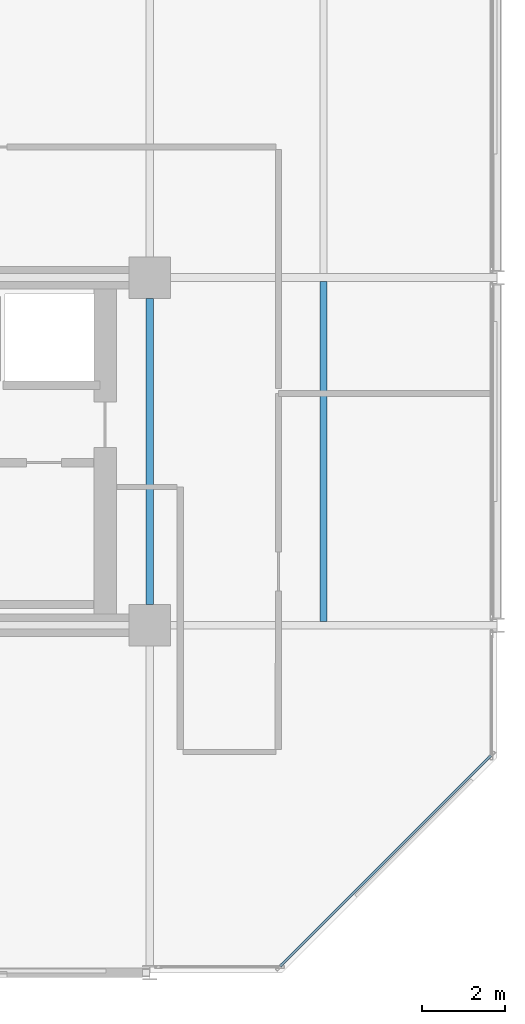
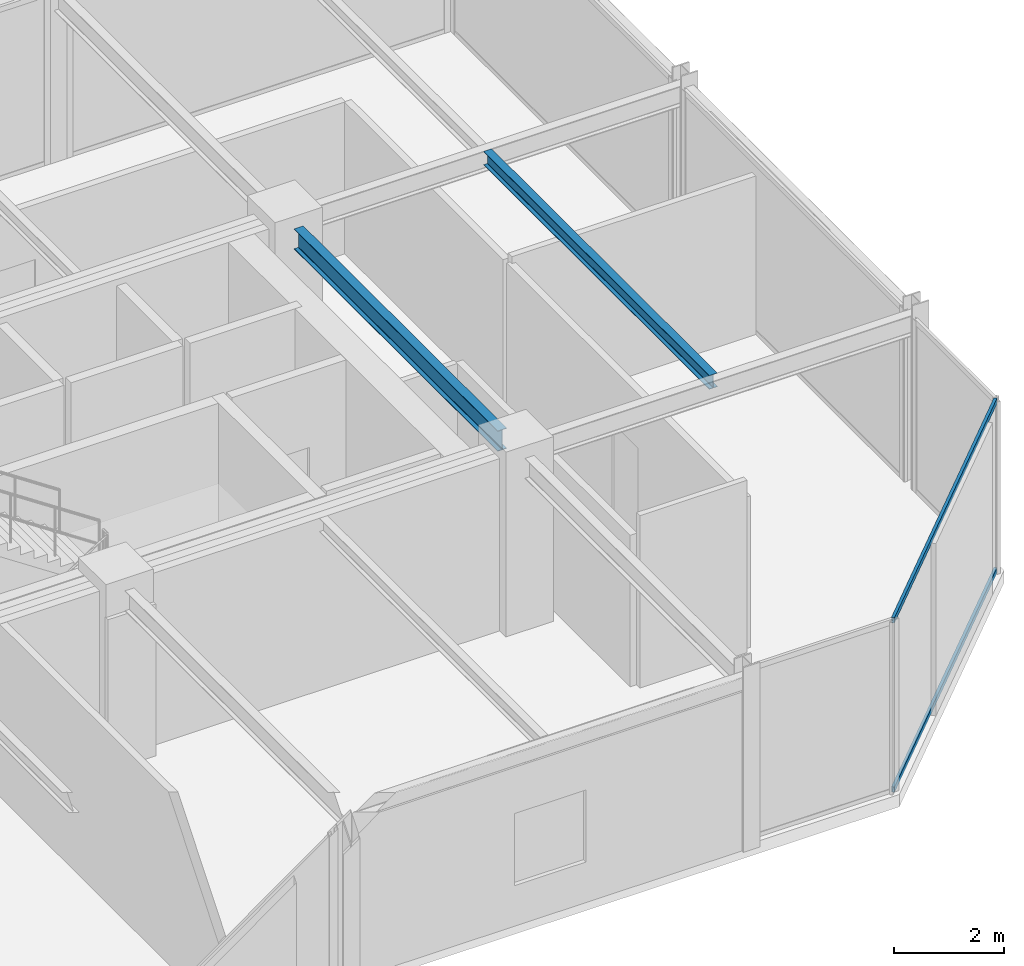
# One storey, part 12 of 29: 2 beams, 2 members, 1 element without a shape of its own.
"""IFC4 building model written with IfcOpenShell, lengths in metres."""

from ifc_helpers import new_model, si_unit, direction, frame, origin, origin_2d, place, context, subcontext, project, spatial, hollow_rectangle, i_section, extrude, material, layer, layer_set, material_profile, profile_set, type_object, element, aggregate, save


model = new_model("IFC4")

# Units and contexts
model_context = context("Model", 3, precision=1e-05, world=origin(), true_north=direction((0.0, 1.0)))
body_context = subcontext(model_context, "Body", "Model", "MODEL_VIEW")
ifc_project = project(units=[si_unit("LENGTHUNIT", "METRE"), si_unit("AREAUNIT", "SQUARE_METRE"), si_unit("VOLUMEUNIT", "CUBIC_METRE"), si_unit("PLANEANGLEUNIT", "RADIAN"), si_unit("MASSUNIT", "GRAM", prefix="KILO")], contexts=[model_context])

# Site, building, storey
site_placement = place(None, origin())
site = spatial("IfcSite", under=ifc_project, at=site_placement, CompositionType="ELEMENT")
building_placement = place(site_placement, origin())
building = spatial("IfcBuilding", under=site, at=building_placement, Name="Nerrivon Quay Data Exchange", CompositionType="ELEMENT")
storey_placement = place(building_placement, frame((0.0, 0.0, 208.300048828125)))
storey = spatial("IfcBuildingStorey", under=building, at=storey_placement, Name="L49", CompositionType="ELEMENT", Elevation=208.300048828125)

# Beams
ifc_material_1 = material(Name="Steel Grade 350", Category="steel")
ifc_material_profile_1 = material_profile(ifc_material_1, i_section(OverallWidth=0.18994140625, OverallDepth=0.4541015625, WebThickness=0.008544921875, FlangeThickness=0.0126953125, FilletRadius=0.011474609375, at=origin_2d()), Name="460UB67.1")
ifc_profile_set_1 = profile_set([ifc_material_profile_1], Name="Steel Grade 350")
beam_type_1 = type_object("IfcBeamType", Name="BM-G6-460UB67", PredefinedType="BEAM", material=ifc_profile_set_1)
beam_1_placement = place(storey_placement, frame((33.60009765625, 8.89990234375, 3.597900390625), z_axis=(0.0, 1.0, 0.0), x_axis=(-1.0, 0.0, 0.0)))
element("IfcBeam", 1, at=beam_1_placement, inside=storey, type_object=beam_type_1, Name="L49 NS Girder X=33.6 (8.4..16.8)", PredefinedType="BEAM", context=body_context, shape_type="SweptSolid", body=[
    extrude(i_section(OverallWidth=0.18994140625, OverallDepth=0.4541015625, WebThickness=0.008544921875, FlangeThickness=0.0126953125, FilletRadius=0.011474609375, at=origin_2d()), origin(), (0.0, 0.0, 1.0), 7.400146484375),
])
ifc_material_profile_2 = material_profile(ifc_material_1, i_section(OverallWidth=0.166015625, OverallDepth=0.306884765625, WebThickness=0.006591796875, FlangeThickness=0.01171875, FilletRadius=0.011474609375, at=origin_2d()), Name="310UB46.2")
ifc_profile_set_2 = profile_set([ifc_material_profile_2], Name="Steel Grade 350")
beam_type_2 = type_object("IfcBeamType", Name="BM-J5-310UB46", PredefinedType="JOIST", material=ifc_profile_set_2)
beam_2_placement = place(storey_placement, frame((37.800048828125, 8.49560546875, 3.67138671875), z_axis=(0.0, 1.0, 0.0), x_axis=(-1.0, 0.0, 0.0)))
element("IfcBeam", 2, at=beam_2_placement, inside=storey, type_object=beam_type_2, Name="L49 Secondary Joist X=37.8 (8.4..16.8)", PredefinedType="JOIST", context=body_context, shape_type="SweptSolid", body=[
    extrude(i_section(OverallWidth=0.166015625, OverallDepth=0.306884765625, WebThickness=0.006591796875, FlangeThickness=0.01171875, FilletRadius=0.011474609375, at=origin_2d()), origin(), (0.0, 0.0, 1.0), 8.208984375),
])

# Curtain wall, members
ifc_material_2 = material(Name="Anodised aluminium 6063-T6", Category="aluminium")
ifc_layer = layer(ifc_material_2, 0.195068359375)
ifc_layer_set = layer_set([ifc_layer], Name="Anodised aluminium 6063-T6")
curtain_wall_type = type_object("IfcCurtainWallType", Name="CW-SYS-06", PredefinedType="NOTDEFINED", material=ifc_layer_set)
curtain_wall_placement = place(storey_placement, origin())
curtain_wall = element("IfcCurtainWall", 3, at=curtain_wall_placement, inside=storey, type_object=curtain_wall_type, Name="L49 Unitised Curtain Wall 21", PredefinedType="NOTDEFINED")
ifc_material_profile_3 = material_profile(ifc_material_2, hollow_rectangle(XDim=0.06005859375, YDim=0.1201171875, WallThickness=0.003173828125, at=origin_2d()), Name="ALU-TRAN-120x60")
ifc_profile_set_3 = profile_set([ifc_material_profile_3], Name="Anodised aluminium 6063-T6")
member_type = type_object("IfcMemberType", Name="CWT-120x60", PredefinedType="USERDEFINED", material=ifc_profile_set_3)
member_1_placement = place(storey_placement, frame((41.847900390625, 5.245849609375, 0.032470703125), z_axis=(-0.707106781187, -0.707106781187, 0.0), x_axis=(0.707106781187, -0.707106781187, 0.0)))
member_1 = element("IfcMember", 4, at=member_1_placement, type_object=member_type, Name="CW06 transom 1.1", ObjectType="TRANSOM", PredefinedType="USERDEFINED", context=body_context, shape_type="SweptSolid", body=[
    extrude(hollow_rectangle(XDim=0.06005859375, YDim=0.1201171875, WallThickness=0.003173828125, at=origin_2d()), origin(), (0.0, 0.0, 1.0), 7.20361328125),
])
member_2_placement = place(storey_placement, frame((41.847900390625, 5.245849609375, 3.79248046875), z_axis=(-0.707106781187, -0.707106781187, 0.0), x_axis=(0.707106781187, -0.707106781187, 0.0)))
member_2 = element("IfcMember", 5, at=member_2_placement, type_object=member_type, Name="CW06 transom 1.2", ObjectType="TRANSOM", PredefinedType="USERDEFINED", context=body_context, shape_type="SweptSolid", body=[
    extrude(hollow_rectangle(XDim=0.06005859375, YDim=0.1201171875, WallThickness=0.003173828125, at=origin_2d()), origin(), (0.0, 0.0, 1.0), 7.20361328125),
])
aggregate(curtain_wall, [member_1, member_2])

save(model, "model.ifc")
